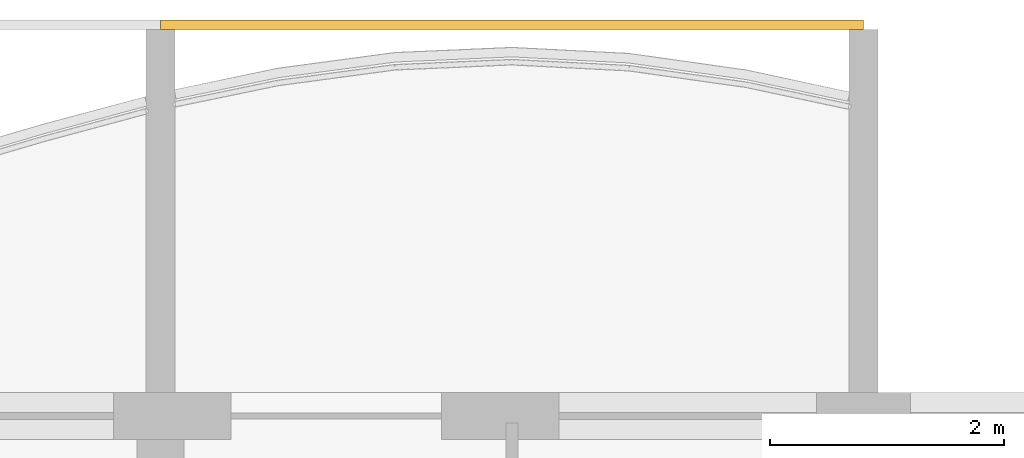
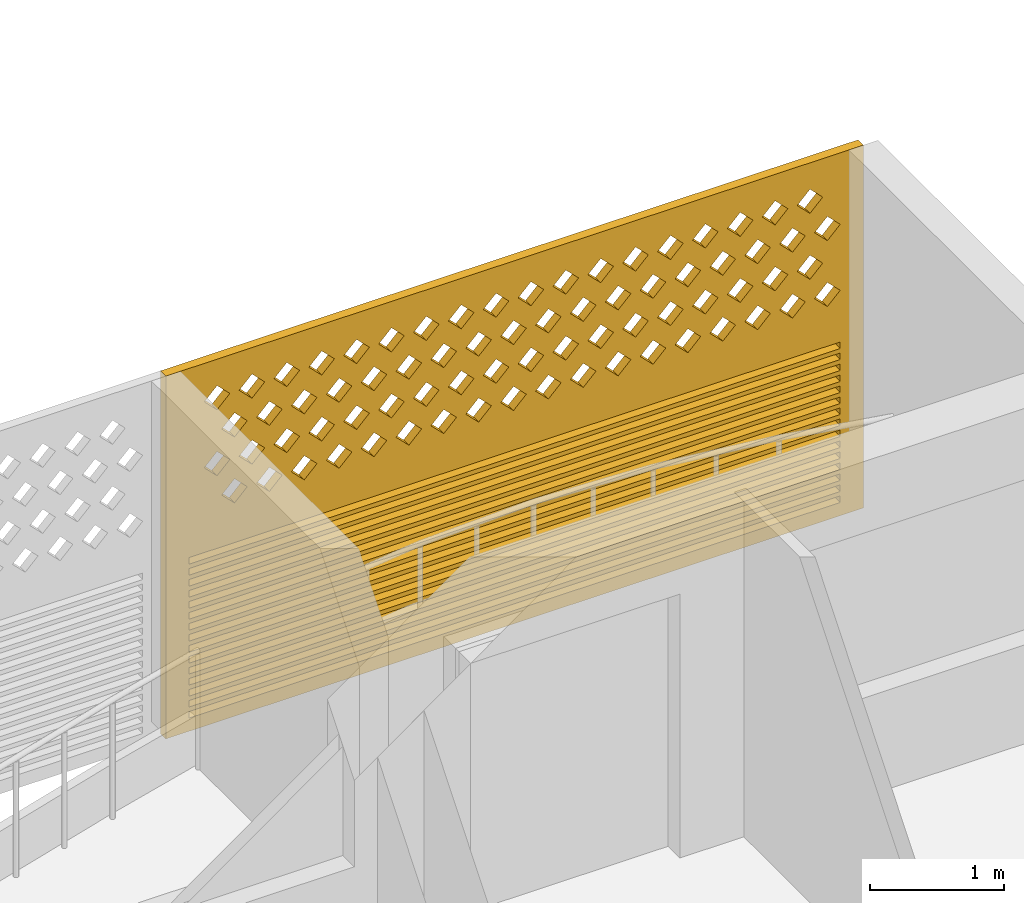
# One storey, part 28 of 39: 1 covering.
"""IFC4 building model written with IfcOpenShell, lengths in metres."""

import ifcopenshell
import ifcopenshell.guid

model = None  # the IFC model being written
_history = None  # IfcOwnerHistory: only IFC2X3 demands one
_inside = {}  # id of a spatial element -> (the spatial element, [elements in it])
_under = {}  # id of a project, library or spatial element -> (it, [spatial elements below it])
_declared = {}  # id of a project -> (the project, [libraries it declares])
_typed = {}  # id of a type object -> (the type object, [elements of that type])
_made_of = {}  # id of a material, layer set ... -> (it, [elements and type objects made of it])


def new_model(schema):
    """Start an empty IFC model of exactly this schema.

    Asked for "IFC4X3", IfcOpenShell would pick the latest addendum, in which some entities
    have other attributes; the version numbers below select the first issue.
    IFC2X3 requires an IfcOwnerHistory on every rooted entity: one is made here for all.
    """
    global model, _history
    if schema == "IFC4X3":
        model = ifcopenshell.file(schema_version=(4, 3, 0, 0))
    else:
        model = ifcopenshell.file(schema=schema)
    _inside.clear()
    _under.clear()
    _declared.clear()
    _typed.clear()
    _made_of.clear()
    _history = None
    if model.schema == "IFC2X3":
        org = make("IfcOrganization", Name="unknown")
        user = make(
            "IfcPersonAndOrganization",
            ThePerson=make("IfcPerson", FamilyName="unknown"),
            TheOrganization=org,
        )
        app = make(
            "IfcApplication",
            ApplicationDeveloper=org,
            Version="unknown",
            ApplicationFullName="unknown",
            ApplicationIdentifier="unknown",
        )
        _history = make(
            "IfcOwnerHistory",
            OwningUser=user,
            OwningApplication=app,
            ChangeAction="ADDED",
            CreationDate=0,
        )
    return model


def make(cls, **values):
    """One entity of the class cls with the attributes given. An attribute that is None is left unset."""
    return model.create_entity(
        cls, **{name: value for name, value in values.items() if value is not None}
    )


def rooted(cls, **values):
    """An entity with a GlobalId (a new one), such as an element, a storey or a relation."""
    return make(cls, GlobalId=ifcopenshell.guid.new(), OwnerHistory=_history, **values)


def si_unit(unit_type, name, prefix=None):
    """IfcSIUnit, for example si_unit("LENGTHUNIT", "METRE", prefix="MILLI")."""
    return make("IfcSIUnit", UnitType=unit_type, Prefix=prefix, Name=name)


def assignment(units):
    """IfcUnitAssignment: the units of a project."""
    return None if units is None else make("IfcUnitAssignment", Units=units)


def point(xyz):
    """IfcCartesianPoint."""
    return None if xyz is None else make("IfcCartesianPoint", Coordinates=xyz)


def direction(xyz):
    """IfcDirection."""
    return None if xyz is None else make("IfcDirection", DirectionRatios=xyz)


def frame(location, z_axis=None, x_axis=None):
    """IfcAxis2Placement3D, a coordinate frame: its origin and axes. An axis left out is left unset."""
    return make(
        "IfcAxis2Placement3D",
        Location=point(location),
        Axis=direction(z_axis),
        RefDirection=direction(x_axis),
    )


def origin():
    """The frame at (0, 0, 0) with its axes left unset."""
    return frame((0.0, 0.0, 0.0))


def place(relative_to, where):
    """IfcLocalPlacement: puts the frame where relative to a parent placement (None: the world)."""
    return make(
        "IfcLocalPlacement", PlacementRelTo=relative_to, RelativePlacement=where
    )


def context(
    kind, dimensions, precision=None, world=None, true_north=None, identifier=None
):
    """IfcGeometricRepresentationContext, for example the 3D "Model" context."""
    return make(
        "IfcGeometricRepresentationContext",
        ContextIdentifier=identifier,
        ContextType=kind,
        CoordinateSpaceDimension=dimensions,
        Precision=precision,
        WorldCoordinateSystem=world,
        TrueNorth=true_north,
    )


def subcontext(parent, identifier, kind, view, scale=None):
    """IfcGeometricRepresentationSubContext, for example "Body" below "Model"."""
    return make(
        "IfcGeometricRepresentationSubContext",
        ContextIdentifier=identifier,
        ContextType=kind,
        ParentContext=parent,
        TargetScale=scale,
        TargetView=view,
    )


def project(units=None, contexts=None):
    """IfcProject with its units and contexts."""
    return rooted(
        "IfcProject",
        Name="project",
        RepresentationContexts=contexts,
        UnitsInContext=assignment(units),
    )


def spatial(cls, under=None, at=None, **own):
    """A site, building, storey or space (cls), placed at a placement, below another one or the project."""
    s = rooted(cls, ObjectPlacement=at, **own)
    if under is not None:
        _under.setdefault(under.id(), (under, []))[1].append(s)
    return s


def polyline(points):
    """IfcPolyline through the points."""
    return make("IfcPolyline", Points=[point(p) for p in points])


def outline(outer, holes=None, kind="AREA"):
    """IfcArbitraryClosedProfileDef: a profile drawn as a closed curve; with holes, ...WithVoids."""
    if holes is None:
        return make("IfcArbitraryClosedProfileDef", ProfileType=kind, OuterCurve=outer)
    return make(
        "IfcArbitraryProfileDefWithVoids",
        ProfileType=kind,
        OuterCurve=outer,
        InnerCurves=holes,
    )


def extrude(swept, where, along, depth):
    """IfcExtrudedAreaSolid: the profile swept, set in the frame where, extruded along a direction by depth."""
    return make(
        "IfcExtrudedAreaSolid",
        SweptArea=swept,
        Position=where,
        ExtrudedDirection=direction(along),
        Depth=depth,
    )


def shape(context_of_items, identifier, shape_type, items):
    """IfcShapeRepresentation: the items that make up one representation, for example the "Body"."""
    return make(
        "IfcShapeRepresentation",
        ContextOfItems=context_of_items,
        RepresentationIdentifier=identifier,
        RepresentationType=shape_type,
        Items=items,
    )


def source(mapping_origin, context_of_items, identifier, shape_type, items):
    """IfcRepresentationMap: a shape defined once, which mapped items show again and again."""
    return make(
        "IfcRepresentationMap",
        MappingOrigin=mapping_origin,
        MappedRepresentation=shape(context_of_items, identifier, shape_type, items),
    )


def transform(
    local_origin,
    x_axis=None,
    y_axis=None,
    z_axis=None,
    scale=None,
    scale2=None,
    scale3=None,
    uniform=True,
):
    """IfcCartesianTransformationOperator3D, or its non-uniform kind. x_axis, y_axis, z_axis: its Axis1, 2, 3."""
    if uniform:
        return make(
            "IfcCartesianTransformationOperator3D",
            Axis1=direction(x_axis),
            Axis2=direction(y_axis),
            LocalOrigin=point(local_origin),
            Scale=scale,
            Axis3=direction(z_axis),
        )
    return make(
        "IfcCartesianTransformationOperator3DnonUniform",
        Axis1=direction(x_axis),
        Axis2=direction(y_axis),
        LocalOrigin=point(local_origin),
        Scale=scale,
        Axis3=direction(z_axis),
        Scale2=scale2,
        Scale3=scale3,
    )


def mapped(mapping_source, mapping_target):
    """IfcMappedItem: shows the shape of a source again, moved by a transform."""
    return make(
        "IfcMappedItem", MappingSource=mapping_source, MappingTarget=mapping_target
    )


def material(Name=None, Category=None):
    """IfcMaterial."""
    return make("IfcMaterial", Name=Name, Category=Category)


def material_profile(
    of_material, cross_section, Name=None, Category=None, Priority=None
):
    """IfcMaterialProfile: a cross section and its material."""
    return make(
        "IfcMaterialProfile",
        Name=Name,
        Material=of_material,
        Profile=cross_section,
        Priority=Priority,
        Category=Category,
    )


def profile_set(profiles, Name=None, composite=None):
    """IfcMaterialProfileSet."""
    return make(
        "IfcMaterialProfileSet",
        Name=Name,
        MaterialProfiles=profiles,
        CompositeProfile=composite,
    )


def made_of(thing, what):
    """Note that an element or type object is made of a material, layer set ...; save() writes the relation."""
    if what is not None:
        _made_of.setdefault(what.id(), (what, []))[1].append(thing)
    return thing


def type_object(cls, material=None, **own):
    """A type object (cls), such as IfcWallType, which elements share."""
    return made_of(rooted(cls, **own), material)


def element(
    cls,
    number,
    at=None,
    inside=None,
    cuts=None,
    type_object=None,
    material=None,
    context=None,
    identifier="Body",
    shape_type=None,
    held_by="IfcProductDefinitionShape",
    body=None,
    shapes=None,
    **own,
):
    """One element of the class cls, such as IfcWall. Its Tag is "e" and its number.

    at: its placement. inside: the storey or other place that contains it. cuts: it is an
    opening in that element (IfcRelVoidsElement). A single representation is given by context,
    identifier, shape_type and body (its items); several are given by shapes. held_by: the class
    of the entity that holds the representations. save() writes the other relations.
    """
    e = rooted(cls, Tag="e%d" % number, ObjectPlacement=at, **own)
    if body is not None:
        shapes = [shape(context, identifier, shape_type, body)]
    if shapes is not None:
        e.Representation = make(held_by, Representations=shapes)
    if inside is not None:
        _inside.setdefault(inside.id(), (inside, []))[1].append(e)
    if cuts is not None:
        rooted(
            "IfcRelVoidsElement", RelatingBuildingElement=cuts, RelatedOpeningElement=e
        )
    if type_object is not None:
        _typed.setdefault(type_object.id(), (type_object, []))[1].append(e)
    return made_of(e, material)


def aggregate(whole, parts):
    """IfcRelAggregates: a whole, such as a stair, and the parts it consists of."""
    return rooted("IfcRelAggregates", RelatingObject=whole, RelatedObjects=parts)


def save(model, path):
    """Write the relations noted so far, then the file.

    IfcRelAggregates (storeys below a building ...), IfcRelContainedInSpatialStructure (elements
    in a storey), IfcRelDefinesByType, IfcRelAssociatesMaterial and IfcRelDeclares: one each for
    every whole, place, type object, material and project.
    """
    for whole, parts in _under.values():
        aggregate(whole, parts)
    for where, things in _inside.values():
        rooted(
            "IfcRelContainedInSpatialStructure",
            RelatedElements=things,
            RelatingStructure=where,
        )
    for kind, things in _typed.values():
        rooted("IfcRelDefinesByType", RelatedObjects=things, RelatingType=kind)
    for what, things in _made_of.values():
        rooted("IfcRelAssociatesMaterial", RelatedObjects=things, RelatingMaterial=what)
    for by, libraries in _declared.values():
        rooted("IfcRelDeclares", RelatingContext=by, RelatedDefinitions=libraries)
    model.write(path)


model = new_model("IFC4")

# Units and contexts
model_context = context("Model", 3, precision=1e-05, world=origin(), true_north=direction((0.0, 1.0)))
body_context = subcontext(model_context, "Body", "Model", "MODEL_VIEW")
ifc_project = project(units=[si_unit("LENGTHUNIT", "METRE"), si_unit("AREAUNIT", "SQUARE_METRE"), si_unit("VOLUMEUNIT", "CUBIC_METRE"), si_unit("PLANEANGLEUNIT", "RADIAN"), si_unit("MASSUNIT", "GRAM", prefix="KILO")], contexts=[model_context])

# Site, building, storey
site_placement = place(None, origin())
site = spatial("IfcSite", under=ifc_project, at=site_placement, CompositionType="ELEMENT")
building_placement = place(site_placement, origin())
building = spatial("IfcBuilding", under=site, at=building_placement, Name="Poui Terraces", CompositionType="ELEMENT")
storey_placement = place(building_placement, frame((0.0, 0.0, 56.39990234375)))
storey = spatial("IfcBuildingStorey", under=building, at=storey_placement, Name="L15", CompositionType="ELEMENT", Elevation=56.39990234375)

# Covering
ifc_material = material(Name="Terracotta screen", Category="masonry")
ifc_material_profile = material_profile(ifc_material, outline(polyline([(-3.0, -1.64990234375), (3.0, -1.64990234375), (3.0, 1.64990234375), (-3.0, 1.64990234375), (-3.0, -1.64990234375)]), holes=[polyline([(-2.800048828125, 0.39990234375), (-2.68994140625, 0.2900390625), (-2.580078125, 0.39990234375), (-2.68994140625, 0.510009765625), (-2.800048828125, 0.39990234375)]), polyline([(-2.5, 0.39990234375), (-2.389892578125, 0.2900390625), (-2.280029296875, 0.39990234375), (-2.389892578125, 0.510009765625), (-2.5, 0.39990234375)]), polyline([(-2.199951171875, 0.39990234375), (-2.090087890625, 0.2900390625), (-1.97998046875, 0.39990234375), (-2.090087890625, 0.510009765625), (-2.199951171875, 0.39990234375)]), polyline([(-1.89990234375, 0.39990234375), (-1.7900390625, 0.2900390625), (-1.679931640625, 0.39990234375), (-1.7900390625, 0.510009765625), (-1.89990234375, 0.39990234375)]), polyline([(-1.60009765625, 0.39990234375), (-1.489990234375, 0.2900390625), (-1.3798828125, 0.39990234375), (-1.489990234375, 0.510009765625), (-1.60009765625, 0.39990234375)]), polyline([(-1.300048828125, 0.39990234375), (-1.18994140625, 0.2900390625), (-1.080078125, 0.39990234375), (-1.18994140625, 0.510009765625), (-1.300048828125, 0.39990234375)]), polyline([(-1.0, 0.39990234375), (-0.889892578125, 0.2900390625), (-0.780029296875, 0.39990234375), (-0.889892578125, 0.510009765625), (-1.0, 0.39990234375)]), polyline([(-0.699951171875, 0.39990234375), (-0.590087890625, 0.2900390625), (-0.47998046875, 0.39990234375), (-0.590087890625, 0.510009765625), (-0.699951171875, 0.39990234375)]), polyline([(-0.39990234375, 0.39990234375), (-0.2900390625, 0.2900390625), (-0.179931640625, 0.39990234375), (-0.2900390625, 0.510009765625), (-0.39990234375, 0.39990234375)]), polyline([(-0.10009765625, 0.39990234375), (0.010009765625, 0.2900390625), (0.1201171875, 0.39990234375), (0.010009765625, 0.510009765625), (-0.10009765625, 0.39990234375)]), polyline([(0.199951171875, 0.39990234375), (0.31005859375, 0.2900390625), (0.419921875, 0.39990234375), (0.31005859375, 0.510009765625), (0.199951171875, 0.39990234375)]), polyline([(0.5, 0.39990234375), (0.610107421875, 0.2900390625), (0.719970703125, 0.39990234375), (0.610107421875, 0.510009765625), (0.5, 0.39990234375)]), polyline([(0.800048828125, 0.39990234375), (0.909912109375, 0.2900390625), (1.02001953125, 0.39990234375), (0.909912109375, 0.510009765625), (0.800048828125, 0.39990234375)]), polyline([(1.10009765625, 0.39990234375), (1.2099609375, 0.2900390625), (1.320068359375, 0.39990234375), (1.2099609375, 0.510009765625), (1.10009765625, 0.39990234375)]), polyline([(1.39990234375, 0.39990234375), (1.510009765625, 0.2900390625), (1.6201171875, 0.39990234375), (1.510009765625, 0.510009765625), (1.39990234375, 0.39990234375)]), polyline([(1.699951171875, 0.39990234375), (1.81005859375, 0.2900390625), (1.919921875, 0.39990234375), (1.81005859375, 0.510009765625), (1.699951171875, 0.39990234375)]), polyline([(2.0, 0.39990234375), (2.110107421875, 0.2900390625), (2.219970703125, 0.39990234375), (2.110107421875, 0.510009765625), (2.0, 0.39990234375)]), polyline([(2.300048828125, 0.39990234375), (2.409912109375, 0.2900390625), (2.52001953125, 0.39990234375), (2.409912109375, 0.510009765625), (2.300048828125, 0.39990234375)]), polyline([(-2.64990234375, 0.699951171875), (-2.5400390625, 0.590087890625), (-2.429931640625, 0.699951171875), (-2.5400390625, 0.81005859375), (-2.64990234375, 0.699951171875)]), polyline([(-2.35009765625, 0.699951171875), (-2.239990234375, 0.590087890625), (-2.1298828125, 0.699951171875), (-2.239990234375, 0.81005859375), (-2.35009765625, 0.699951171875)]), polyline([(-2.050048828125, 0.699951171875), (-1.93994140625, 0.590087890625), (-1.830078125, 0.699951171875), (-1.93994140625, 0.81005859375), (-2.050048828125, 0.699951171875)]), polyline([(-1.75, 0.699951171875), (-1.639892578125, 0.590087890625), (-1.530029296875, 0.699951171875), (-1.639892578125, 0.81005859375), (-1.75, 0.699951171875)]), polyline([(-1.449951171875, 0.699951171875), (-1.340087890625, 0.590087890625), (-1.22998046875, 0.699951171875), (-1.340087890625, 0.81005859375), (-1.449951171875, 0.699951171875)]), polyline([(-1.14990234375, 0.699951171875), (-1.0400390625, 0.590087890625), (-0.929931640625, 0.699951171875), (-1.0400390625, 0.81005859375), (-1.14990234375, 0.699951171875)]), polyline([(-0.85009765625, 0.699951171875), (-0.739990234375, 0.590087890625), (-0.6298828125, 0.699951171875), (-0.739990234375, 0.81005859375), (-0.85009765625, 0.699951171875)]), polyline([(-0.550048828125, 0.699951171875), (-0.43994140625, 0.590087890625), (-0.330078125, 0.699951171875), (-0.43994140625, 0.81005859375), (-0.550048828125, 0.699951171875)]), polyline([(-0.25, 0.699951171875), (-0.139892578125, 0.590087890625), (-0.030029296875, 0.699951171875), (-0.139892578125, 0.81005859375), (-0.25, 0.699951171875)]), polyline([(0.050048828125, 0.699951171875), (0.159912109375, 0.590087890625), (0.27001953125, 0.699951171875), (0.159912109375, 0.81005859375), (0.050048828125, 0.699951171875)]), polyline([(0.35009765625, 0.699951171875), (0.4599609375, 0.590087890625), (0.570068359375, 0.699951171875), (0.4599609375, 0.81005859375), (0.35009765625, 0.699951171875)]), polyline([(0.64990234375, 0.699951171875), (0.760009765625, 0.590087890625), (0.8701171875, 0.699951171875), (0.760009765625, 0.81005859375), (0.64990234375, 0.699951171875)]), polyline([(0.949951171875, 0.699951171875), (1.06005859375, 0.590087890625), (1.169921875, 0.699951171875), (1.06005859375, 0.81005859375), (0.949951171875, 0.699951171875)]), polyline([(1.25, 0.699951171875), (1.360107421875, 0.590087890625), (1.469970703125, 0.699951171875), (1.360107421875, 0.81005859375), (1.25, 0.699951171875)]), polyline([(1.550048828125, 0.699951171875), (1.659912109375, 0.590087890625), (1.77001953125, 0.699951171875), (1.659912109375, 0.81005859375), (1.550048828125, 0.699951171875)]), polyline([(1.85009765625, 0.699951171875), (1.9599609375, 0.590087890625), (2.070068359375, 0.699951171875), (1.9599609375, 0.81005859375), (1.85009765625, 0.699951171875)]), polyline([(2.14990234375, 0.699951171875), (2.260009765625, 0.590087890625), (2.3701171875, 0.699951171875), (2.260009765625, 0.81005859375), (2.14990234375, 0.699951171875)]), polyline([(2.449951171875, 0.699951171875), (2.56005859375, 0.590087890625), (2.669921875, 0.699951171875), (2.56005859375, 0.81005859375), (2.449951171875, 0.699951171875)]), polyline([(-2.800048828125, 1.0), (-2.68994140625, 0.889892578125), (-2.580078125, 1.0), (-2.68994140625, 1.110107421875), (-2.800048828125, 1.0)]), polyline([(-2.5, 1.0), (-2.389892578125, 0.889892578125), (-2.280029296875, 1.0), (-2.389892578125, 1.110107421875), (-2.5, 1.0)]), polyline([(-2.199951171875, 1.0), (-2.090087890625, 0.889892578125), (-1.97998046875, 1.0), (-2.090087890625, 1.110107421875), (-2.199951171875, 1.0)]), polyline([(-1.89990234375, 1.0), (-1.7900390625, 0.889892578125), (-1.679931640625, 1.0), (-1.7900390625, 1.110107421875), (-1.89990234375, 1.0)]), polyline([(-1.60009765625, 1.0), (-1.489990234375, 0.889892578125), (-1.3798828125, 1.0), (-1.489990234375, 1.110107421875), (-1.60009765625, 1.0)]), polyline([(-1.300048828125, 1.0), (-1.18994140625, 0.889892578125), (-1.080078125, 1.0), (-1.18994140625, 1.110107421875), (-1.300048828125, 1.0)]), polyline([(-1.0, 1.0), (-0.889892578125, 0.889892578125), (-0.780029296875, 1.0), (-0.889892578125, 1.110107421875), (-1.0, 1.0)]), polyline([(-0.699951171875, 1.0), (-0.590087890625, 0.889892578125), (-0.47998046875, 1.0), (-0.590087890625, 1.110107421875), (-0.699951171875, 1.0)]), polyline([(-0.39990234375, 1.0), (-0.2900390625, 0.889892578125), (-0.179931640625, 1.0), (-0.2900390625, 1.110107421875), (-0.39990234375, 1.0)]), polyline([(-0.10009765625, 1.0), (0.010009765625, 0.889892578125), (0.1201171875, 1.0), (0.010009765625, 1.110107421875), (-0.10009765625, 1.0)]), polyline([(0.199951171875, 1.0), (0.31005859375, 0.889892578125), (0.419921875, 1.0), (0.31005859375, 1.110107421875), (0.199951171875, 1.0)]), polyline([(0.5, 1.0), (0.610107421875, 0.889892578125), (0.719970703125, 1.0), (0.610107421875, 1.110107421875), (0.5, 1.0)]), polyline([(0.800048828125, 1.0), (0.909912109375, 0.889892578125), (1.02001953125, 1.0), (0.909912109375, 1.110107421875), (0.800048828125, 1.0)]), polyline([(1.10009765625, 1.0), (1.2099609375, 0.889892578125), (1.320068359375, 1.0), (1.2099609375, 1.110107421875), (1.10009765625, 1.0)]), polyline([(1.39990234375, 1.0), (1.510009765625, 0.889892578125), (1.6201171875, 1.0), (1.510009765625, 1.110107421875), (1.39990234375, 1.0)]), polyline([(1.699951171875, 1.0), (1.81005859375, 0.889892578125), (1.919921875, 1.0), (1.81005859375, 1.110107421875), (1.699951171875, 1.0)]), polyline([(2.0, 1.0), (2.110107421875, 0.889892578125), (2.219970703125, 1.0), (2.110107421875, 1.110107421875), (2.0, 1.0)]), polyline([(2.300048828125, 1.0), (2.409912109375, 0.889892578125), (2.52001953125, 1.0), (2.409912109375, 1.110107421875), (2.300048828125, 1.0)]), polyline([(-2.64990234375, 1.300048828125), (-2.5400390625, 1.18994140625), (-2.429931640625, 1.300048828125), (-2.5400390625, 1.409912109375), (-2.64990234375, 1.300048828125)]), polyline([(-2.35009765625, 1.300048828125), (-2.239990234375, 1.18994140625), (-2.1298828125, 1.300048828125), (-2.239990234375, 1.409912109375), (-2.35009765625, 1.300048828125)]), polyline([(-2.050048828125, 1.300048828125), (-1.93994140625, 1.18994140625), (-1.830078125, 1.300048828125), (-1.93994140625, 1.409912109375), (-2.050048828125, 1.300048828125)]), polyline([(-1.75, 1.300048828125), (-1.639892578125, 1.18994140625), (-1.530029296875, 1.300048828125), (-1.639892578125, 1.409912109375), (-1.75, 1.300048828125)]), polyline([(-1.449951171875, 1.300048828125), (-1.340087890625, 1.18994140625), (-1.22998046875, 1.300048828125), (-1.340087890625, 1.409912109375), (-1.449951171875, 1.300048828125)]), polyline([(-1.14990234375, 1.300048828125), (-1.0400390625, 1.18994140625), (-0.929931640625, 1.300048828125), (-1.0400390625, 1.409912109375), (-1.14990234375, 1.300048828125)]), polyline([(-0.85009765625, 1.300048828125), (-0.739990234375, 1.18994140625), (-0.6298828125, 1.300048828125), (-0.739990234375, 1.409912109375), (-0.85009765625, 1.300048828125)]), polyline([(-0.550048828125, 1.300048828125), (-0.43994140625, 1.18994140625), (-0.330078125, 1.300048828125), (-0.43994140625, 1.409912109375), (-0.550048828125, 1.300048828125)]), polyline([(-0.25, 1.300048828125), (-0.139892578125, 1.18994140625), (-0.030029296875, 1.300048828125), (-0.139892578125, 1.409912109375), (-0.25, 1.300048828125)]), polyline([(0.050048828125, 1.300048828125), (0.159912109375, 1.18994140625), (0.27001953125, 1.300048828125), (0.159912109375, 1.409912109375), (0.050048828125, 1.300048828125)]), polyline([(0.35009765625, 1.300048828125), (0.4599609375, 1.18994140625), (0.570068359375, 1.300048828125), (0.4599609375, 1.409912109375), (0.35009765625, 1.300048828125)]), polyline([(0.64990234375, 1.300048828125), (0.760009765625, 1.18994140625), (0.8701171875, 1.300048828125), (0.760009765625, 1.409912109375), (0.64990234375, 1.300048828125)]), polyline([(0.949951171875, 1.300048828125), (1.06005859375, 1.18994140625), (1.169921875, 1.300048828125), (1.06005859375, 1.409912109375), (0.949951171875, 1.300048828125)]), polyline([(1.25, 1.300048828125), (1.360107421875, 1.18994140625), (1.469970703125, 1.300048828125), (1.360107421875, 1.409912109375), (1.25, 1.300048828125)]), polyline([(1.550048828125, 1.300048828125), (1.659912109375, 1.18994140625), (1.77001953125, 1.300048828125), (1.659912109375, 1.409912109375), (1.550048828125, 1.300048828125)]), polyline([(1.85009765625, 1.300048828125), (1.9599609375, 1.18994140625), (2.070068359375, 1.300048828125), (1.9599609375, 1.409912109375), (1.85009765625, 1.300048828125)]), polyline([(2.14990234375, 1.300048828125), (2.260009765625, 1.18994140625), (2.3701171875, 1.300048828125), (2.260009765625, 1.409912109375), (2.14990234375, 1.300048828125)]), polyline([(2.449951171875, 1.300048828125), (2.56005859375, 1.18994140625), (2.669921875, 1.300048828125), (2.56005859375, 1.409912109375), (2.449951171875, 1.300048828125)]), polyline([(-2.800048828125, -1.530029296875), (2.800048828125, -1.530029296875), (2.800048828125, -1.469970703125), (-2.800048828125, -1.469970703125), (-2.800048828125, -1.530029296875)]), polyline([(-2.800048828125, -1.429931640625), (2.800048828125, -1.429931640625), (2.800048828125, -1.3701171875), (-2.800048828125, -1.3701171875), (-2.800048828125, -1.429931640625)]), polyline([(-2.800048828125, -1.330078125), (2.800048828125, -1.330078125), (2.800048828125, -1.27001953125), (-2.800048828125, -1.27001953125), (-2.800048828125, -1.330078125)]), polyline([(-2.800048828125, -1.22998046875), (2.800048828125, -1.22998046875), (2.800048828125, -1.169921875), (-2.800048828125, -1.169921875), (-2.800048828125, -1.22998046875)]), polyline([(-2.800048828125, -1.1298828125), (2.800048828125, -1.1298828125), (2.800048828125, -1.070068359375), (-2.800048828125, -1.070068359375), (-2.800048828125, -1.1298828125)]), polyline([(-2.800048828125, -1.030029296875), (2.800048828125, -1.030029296875), (2.800048828125, -0.969970703125), (-2.800048828125, -0.969970703125), (-2.800048828125, -1.030029296875)]), polyline([(-2.800048828125, -0.929931640625), (2.800048828125, -0.929931640625), (2.800048828125, -0.8701171875), (-2.800048828125, -0.8701171875), (-2.800048828125, -0.929931640625)]), polyline([(-2.800048828125, -0.830078125), (2.800048828125, -0.830078125), (2.800048828125, -0.77001953125), (-2.800048828125, -0.77001953125), (-2.800048828125, -0.830078125)]), polyline([(-2.800048828125, -0.72998046875), (2.800048828125, -0.72998046875), (2.800048828125, -0.669921875), (-2.800048828125, -0.669921875), (-2.800048828125, -0.72998046875)]), polyline([(-2.800048828125, -0.6298828125), (2.800048828125, -0.6298828125), (2.800048828125, -0.570068359375), (-2.800048828125, -0.570068359375), (-2.800048828125, -0.6298828125)]), polyline([(-2.800048828125, -0.530029296875), (2.800048828125, -0.530029296875), (2.800048828125, -0.469970703125), (-2.800048828125, -0.469970703125), (-2.800048828125, -0.530029296875)]), polyline([(-2.800048828125, -0.429931640625), (2.800048828125, -0.429931640625), (2.800048828125, -0.3701171875), (-2.800048828125, -0.3701171875), (-2.800048828125, -0.429931640625)]), polyline([(-2.800048828125, -0.330078125), (2.800048828125, -0.330078125), (2.800048828125, -0.27001953125), (-2.800048828125, -0.27001953125), (-2.800048828125, -0.330078125)]), polyline([(-2.800048828125, -0.22998046875), (2.800048828125, -0.22998046875), (2.800048828125, -0.169921875), (-2.800048828125, -0.169921875), (-2.800048828125, -0.22998046875)]), polyline([(-2.800048828125, -0.1298828125), (2.800048828125, -0.1298828125), (2.800048828125, -0.070068359375), (-2.800048828125, -0.070068359375), (-2.800048828125, -0.1298828125)])]), Name="TERRACOTTA SCREEN AND JALOUSIE LOUVRE 6000X3300")
ifc_profile_set = profile_set([ifc_material_profile], Name="Terracotta screen")
covering_type = type_object("IfcCoveringType", Name="TERRACOTTA SCREEN AND JALOUSIE LOUVRE 6000X3300", PredefinedType="CLADDING", material=ifc_profile_set)
shared_shape = source(origin(), body_context, "Body", "SweptSolid", [
    extrude(outline(polyline([(-3.0, -1.64990234375), (3.0, -1.64990234375), (3.0, 1.64990234375), (-3.0, 1.64990234375), (-3.0, -1.64990234375)]), holes=[polyline([(-2.800048828125, 0.39990234375), (-2.68994140625, 0.2900390625), (-2.580078125, 0.39990234375), (-2.68994140625, 0.510009765625), (-2.800048828125, 0.39990234375)]), polyline([(-2.5, 0.39990234375), (-2.389892578125, 0.2900390625), (-2.280029296875, 0.39990234375), (-2.389892578125, 0.510009765625), (-2.5, 0.39990234375)]), polyline([(-2.199951171875, 0.39990234375), (-2.090087890625, 0.2900390625), (-1.97998046875, 0.39990234375), (-2.090087890625, 0.510009765625), (-2.199951171875, 0.39990234375)]), polyline([(-1.89990234375, 0.39990234375), (-1.7900390625, 0.2900390625), (-1.679931640625, 0.39990234375), (-1.7900390625, 0.510009765625), (-1.89990234375, 0.39990234375)]), polyline([(-1.60009765625, 0.39990234375), (-1.489990234375, 0.2900390625), (-1.3798828125, 0.39990234375), (-1.489990234375, 0.510009765625), (-1.60009765625, 0.39990234375)]), polyline([(-1.300048828125, 0.39990234375), (-1.18994140625, 0.2900390625), (-1.080078125, 0.39990234375), (-1.18994140625, 0.510009765625), (-1.300048828125, 0.39990234375)]), polyline([(-1.0, 0.39990234375), (-0.889892578125, 0.2900390625), (-0.780029296875, 0.39990234375), (-0.889892578125, 0.510009765625), (-1.0, 0.39990234375)]), polyline([(-0.699951171875, 0.39990234375), (-0.590087890625, 0.2900390625), (-0.47998046875, 0.39990234375), (-0.590087890625, 0.510009765625), (-0.699951171875, 0.39990234375)]), polyline([(-0.39990234375, 0.39990234375), (-0.2900390625, 0.2900390625), (-0.179931640625, 0.39990234375), (-0.2900390625, 0.510009765625), (-0.39990234375, 0.39990234375)]), polyline([(-0.10009765625, 0.39990234375), (0.010009765625, 0.2900390625), (0.1201171875, 0.39990234375), (0.010009765625, 0.510009765625), (-0.10009765625, 0.39990234375)]), polyline([(0.199951171875, 0.39990234375), (0.31005859375, 0.2900390625), (0.419921875, 0.39990234375), (0.31005859375, 0.510009765625), (0.199951171875, 0.39990234375)]), polyline([(0.5, 0.39990234375), (0.610107421875, 0.2900390625), (0.719970703125, 0.39990234375), (0.610107421875, 0.510009765625), (0.5, 0.39990234375)]), polyline([(0.800048828125, 0.39990234375), (0.909912109375, 0.2900390625), (1.02001953125, 0.39990234375), (0.909912109375, 0.510009765625), (0.800048828125, 0.39990234375)]), polyline([(1.10009765625, 0.39990234375), (1.2099609375, 0.2900390625), (1.320068359375, 0.39990234375), (1.2099609375, 0.510009765625), (1.10009765625, 0.39990234375)]), polyline([(1.39990234375, 0.39990234375), (1.510009765625, 0.2900390625), (1.6201171875, 0.39990234375), (1.510009765625, 0.510009765625), (1.39990234375, 0.39990234375)]), polyline([(1.699951171875, 0.39990234375), (1.81005859375, 0.2900390625), (1.919921875, 0.39990234375), (1.81005859375, 0.510009765625), (1.699951171875, 0.39990234375)]), polyline([(2.0, 0.39990234375), (2.110107421875, 0.2900390625), (2.219970703125, 0.39990234375), (2.110107421875, 0.510009765625), (2.0, 0.39990234375)]), polyline([(2.300048828125, 0.39990234375), (2.409912109375, 0.2900390625), (2.52001953125, 0.39990234375), (2.409912109375, 0.510009765625), (2.300048828125, 0.39990234375)]), polyline([(-2.64990234375, 0.699951171875), (-2.5400390625, 0.590087890625), (-2.429931640625, 0.699951171875), (-2.5400390625, 0.81005859375), (-2.64990234375, 0.699951171875)]), polyline([(-2.35009765625, 0.699951171875), (-2.239990234375, 0.590087890625), (-2.1298828125, 0.699951171875), (-2.239990234375, 0.81005859375), (-2.35009765625, 0.699951171875)]), polyline([(-2.050048828125, 0.699951171875), (-1.93994140625, 0.590087890625), (-1.830078125, 0.699951171875), (-1.93994140625, 0.81005859375), (-2.050048828125, 0.699951171875)]), polyline([(-1.75, 0.699951171875), (-1.639892578125, 0.590087890625), (-1.530029296875, 0.699951171875), (-1.639892578125, 0.81005859375), (-1.75, 0.699951171875)]), polyline([(-1.449951171875, 0.699951171875), (-1.340087890625, 0.590087890625), (-1.22998046875, 0.699951171875), (-1.340087890625, 0.81005859375), (-1.449951171875, 0.699951171875)]), polyline([(-1.14990234375, 0.699951171875), (-1.0400390625, 0.590087890625), (-0.929931640625, 0.699951171875), (-1.0400390625, 0.81005859375), (-1.14990234375, 0.699951171875)]), polyline([(-0.85009765625, 0.699951171875), (-0.739990234375, 0.590087890625), (-0.6298828125, 0.699951171875), (-0.739990234375, 0.81005859375), (-0.85009765625, 0.699951171875)]), polyline([(-0.550048828125, 0.699951171875), (-0.43994140625, 0.590087890625), (-0.330078125, 0.699951171875), (-0.43994140625, 0.81005859375), (-0.550048828125, 0.699951171875)]), polyline([(-0.25, 0.699951171875), (-0.139892578125, 0.590087890625), (-0.030029296875, 0.699951171875), (-0.139892578125, 0.81005859375), (-0.25, 0.699951171875)]), polyline([(0.050048828125, 0.699951171875), (0.159912109375, 0.590087890625), (0.27001953125, 0.699951171875), (0.159912109375, 0.81005859375), (0.050048828125, 0.699951171875)]), polyline([(0.35009765625, 0.699951171875), (0.4599609375, 0.590087890625), (0.570068359375, 0.699951171875), (0.4599609375, 0.81005859375), (0.35009765625, 0.699951171875)]), polyline([(0.64990234375, 0.699951171875), (0.760009765625, 0.590087890625), (0.8701171875, 0.699951171875), (0.760009765625, 0.81005859375), (0.64990234375, 0.699951171875)]), polyline([(0.949951171875, 0.699951171875), (1.06005859375, 0.590087890625), (1.169921875, 0.699951171875), (1.06005859375, 0.81005859375), (0.949951171875, 0.699951171875)]), polyline([(1.25, 0.699951171875), (1.360107421875, 0.590087890625), (1.469970703125, 0.699951171875), (1.360107421875, 0.81005859375), (1.25, 0.699951171875)]), polyline([(1.550048828125, 0.699951171875), (1.659912109375, 0.590087890625), (1.77001953125, 0.699951171875), (1.659912109375, 0.81005859375), (1.550048828125, 0.699951171875)]), polyline([(1.85009765625, 0.699951171875), (1.9599609375, 0.590087890625), (2.070068359375, 0.699951171875), (1.9599609375, 0.81005859375), (1.85009765625, 0.699951171875)]), polyline([(2.14990234375, 0.699951171875), (2.260009765625, 0.590087890625), (2.3701171875, 0.699951171875), (2.260009765625, 0.81005859375), (2.14990234375, 0.699951171875)]), polyline([(2.449951171875, 0.699951171875), (2.56005859375, 0.590087890625), (2.669921875, 0.699951171875), (2.56005859375, 0.81005859375), (2.449951171875, 0.699951171875)]), polyline([(-2.800048828125, 1.0), (-2.68994140625, 0.889892578125), (-2.580078125, 1.0), (-2.68994140625, 1.110107421875), (-2.800048828125, 1.0)]), polyline([(-2.5, 1.0), (-2.389892578125, 0.889892578125), (-2.280029296875, 1.0), (-2.389892578125, 1.110107421875), (-2.5, 1.0)]), polyline([(-2.199951171875, 1.0), (-2.090087890625, 0.889892578125), (-1.97998046875, 1.0), (-2.090087890625, 1.110107421875), (-2.199951171875, 1.0)]), polyline([(-1.89990234375, 1.0), (-1.7900390625, 0.889892578125), (-1.679931640625, 1.0), (-1.7900390625, 1.110107421875), (-1.89990234375, 1.0)]), polyline([(-1.60009765625, 1.0), (-1.489990234375, 0.889892578125), (-1.3798828125, 1.0), (-1.489990234375, 1.110107421875), (-1.60009765625, 1.0)]), polyline([(-1.300048828125, 1.0), (-1.18994140625, 0.889892578125), (-1.080078125, 1.0), (-1.18994140625, 1.110107421875), (-1.300048828125, 1.0)]), polyline([(-1.0, 1.0), (-0.889892578125, 0.889892578125), (-0.780029296875, 1.0), (-0.889892578125, 1.110107421875), (-1.0, 1.0)]), polyline([(-0.699951171875, 1.0), (-0.590087890625, 0.889892578125), (-0.47998046875, 1.0), (-0.590087890625, 1.110107421875), (-0.699951171875, 1.0)]), polyline([(-0.39990234375, 1.0), (-0.2900390625, 0.889892578125), (-0.179931640625, 1.0), (-0.2900390625, 1.110107421875), (-0.39990234375, 1.0)]), polyline([(-0.10009765625, 1.0), (0.010009765625, 0.889892578125), (0.1201171875, 1.0), (0.010009765625, 1.110107421875), (-0.10009765625, 1.0)]), polyline([(0.199951171875, 1.0), (0.31005859375, 0.889892578125), (0.419921875, 1.0), (0.31005859375, 1.110107421875), (0.199951171875, 1.0)]), polyline([(0.5, 1.0), (0.610107421875, 0.889892578125), (0.719970703125, 1.0), (0.610107421875, 1.110107421875), (0.5, 1.0)]), polyline([(0.800048828125, 1.0), (0.909912109375, 0.889892578125), (1.02001953125, 1.0), (0.909912109375, 1.110107421875), (0.800048828125, 1.0)]), polyline([(1.10009765625, 1.0), (1.2099609375, 0.889892578125), (1.320068359375, 1.0), (1.2099609375, 1.110107421875), (1.10009765625, 1.0)]), polyline([(1.39990234375, 1.0), (1.510009765625, 0.889892578125), (1.6201171875, 1.0), (1.510009765625, 1.110107421875), (1.39990234375, 1.0)]), polyline([(1.699951171875, 1.0), (1.81005859375, 0.889892578125), (1.919921875, 1.0), (1.81005859375, 1.110107421875), (1.699951171875, 1.0)]), polyline([(2.0, 1.0), (2.110107421875, 0.889892578125), (2.219970703125, 1.0), (2.110107421875, 1.110107421875), (2.0, 1.0)]), polyline([(2.300048828125, 1.0), (2.409912109375, 0.889892578125), (2.52001953125, 1.0), (2.409912109375, 1.110107421875), (2.300048828125, 1.0)]), polyline([(-2.64990234375, 1.300048828125), (-2.5400390625, 1.18994140625), (-2.429931640625, 1.300048828125), (-2.5400390625, 1.409912109375), (-2.64990234375, 1.300048828125)]), polyline([(-2.35009765625, 1.300048828125), (-2.239990234375, 1.18994140625), (-2.1298828125, 1.300048828125), (-2.239990234375, 1.409912109375), (-2.35009765625, 1.300048828125)]), polyline([(-2.050048828125, 1.300048828125), (-1.93994140625, 1.18994140625), (-1.830078125, 1.300048828125), (-1.93994140625, 1.409912109375), (-2.050048828125, 1.300048828125)]), polyline([(-1.75, 1.300048828125), (-1.639892578125, 1.18994140625), (-1.530029296875, 1.300048828125), (-1.639892578125, 1.409912109375), (-1.75, 1.300048828125)]), polyline([(-1.449951171875, 1.300048828125), (-1.340087890625, 1.18994140625), (-1.22998046875, 1.300048828125), (-1.340087890625, 1.409912109375), (-1.449951171875, 1.300048828125)]), polyline([(-1.14990234375, 1.300048828125), (-1.0400390625, 1.18994140625), (-0.929931640625, 1.300048828125), (-1.0400390625, 1.409912109375), (-1.14990234375, 1.300048828125)]), polyline([(-0.85009765625, 1.300048828125), (-0.739990234375, 1.18994140625), (-0.6298828125, 1.300048828125), (-0.739990234375, 1.409912109375), (-0.85009765625, 1.300048828125)]), polyline([(-0.550048828125, 1.300048828125), (-0.43994140625, 1.18994140625), (-0.330078125, 1.300048828125), (-0.43994140625, 1.409912109375), (-0.550048828125, 1.300048828125)]), polyline([(-0.25, 1.300048828125), (-0.139892578125, 1.18994140625), (-0.030029296875, 1.300048828125), (-0.139892578125, 1.409912109375), (-0.25, 1.300048828125)]), polyline([(0.050048828125, 1.300048828125), (0.159912109375, 1.18994140625), (0.27001953125, 1.300048828125), (0.159912109375, 1.409912109375), (0.050048828125, 1.300048828125)]), polyline([(0.35009765625, 1.300048828125), (0.4599609375, 1.18994140625), (0.570068359375, 1.300048828125), (0.4599609375, 1.409912109375), (0.35009765625, 1.300048828125)]), polyline([(0.64990234375, 1.300048828125), (0.760009765625, 1.18994140625), (0.8701171875, 1.300048828125), (0.760009765625, 1.409912109375), (0.64990234375, 1.300048828125)]), polyline([(0.949951171875, 1.300048828125), (1.06005859375, 1.18994140625), (1.169921875, 1.300048828125), (1.06005859375, 1.409912109375), (0.949951171875, 1.300048828125)]), polyline([(1.25, 1.300048828125), (1.360107421875, 1.18994140625), (1.469970703125, 1.300048828125), (1.360107421875, 1.409912109375), (1.25, 1.300048828125)]), polyline([(1.550048828125, 1.300048828125), (1.659912109375, 1.18994140625), (1.77001953125, 1.300048828125), (1.659912109375, 1.409912109375), (1.550048828125, 1.300048828125)]), polyline([(1.85009765625, 1.300048828125), (1.9599609375, 1.18994140625), (2.070068359375, 1.300048828125), (1.9599609375, 1.409912109375), (1.85009765625, 1.300048828125)]), polyline([(2.14990234375, 1.300048828125), (2.260009765625, 1.18994140625), (2.3701171875, 1.300048828125), (2.260009765625, 1.409912109375), (2.14990234375, 1.300048828125)]), polyline([(2.449951171875, 1.300048828125), (2.56005859375, 1.18994140625), (2.669921875, 1.300048828125), (2.56005859375, 1.409912109375), (2.449951171875, 1.300048828125)]), polyline([(-2.800048828125, -1.530029296875), (2.800048828125, -1.530029296875), (2.800048828125, -1.469970703125), (-2.800048828125, -1.469970703125), (-2.800048828125, -1.530029296875)]), polyline([(-2.800048828125, -1.429931640625), (2.800048828125, -1.429931640625), (2.800048828125, -1.3701171875), (-2.800048828125, -1.3701171875), (-2.800048828125, -1.429931640625)]), polyline([(-2.800048828125, -1.330078125), (2.800048828125, -1.330078125), (2.800048828125, -1.27001953125), (-2.800048828125, -1.27001953125), (-2.800048828125, -1.330078125)]), polyline([(-2.800048828125, -1.22998046875), (2.800048828125, -1.22998046875), (2.800048828125, -1.169921875), (-2.800048828125, -1.169921875), (-2.800048828125, -1.22998046875)]), polyline([(-2.800048828125, -1.1298828125), (2.800048828125, -1.1298828125), (2.800048828125, -1.070068359375), (-2.800048828125, -1.070068359375), (-2.800048828125, -1.1298828125)]), polyline([(-2.800048828125, -1.030029296875), (2.800048828125, -1.030029296875), (2.800048828125, -0.969970703125), (-2.800048828125, -0.969970703125), (-2.800048828125, -1.030029296875)]), polyline([(-2.800048828125, -0.929931640625), (2.800048828125, -0.929931640625), (2.800048828125, -0.8701171875), (-2.800048828125, -0.8701171875), (-2.800048828125, -0.929931640625)]), polyline([(-2.800048828125, -0.830078125), (2.800048828125, -0.830078125), (2.800048828125, -0.77001953125), (-2.800048828125, -0.77001953125), (-2.800048828125, -0.830078125)]), polyline([(-2.800048828125, -0.72998046875), (2.800048828125, -0.72998046875), (2.800048828125, -0.669921875), (-2.800048828125, -0.669921875), (-2.800048828125, -0.72998046875)]), polyline([(-2.800048828125, -0.6298828125), (2.800048828125, -0.6298828125), (2.800048828125, -0.570068359375), (-2.800048828125, -0.570068359375), (-2.800048828125, -0.6298828125)]), polyline([(-2.800048828125, -0.530029296875), (2.800048828125, -0.530029296875), (2.800048828125, -0.469970703125), (-2.800048828125, -0.469970703125), (-2.800048828125, -0.530029296875)]), polyline([(-2.800048828125, -0.429931640625), (2.800048828125, -0.429931640625), (2.800048828125, -0.3701171875), (-2.800048828125, -0.3701171875), (-2.800048828125, -0.429931640625)]), polyline([(-2.800048828125, -0.330078125), (2.800048828125, -0.330078125), (2.800048828125, -0.27001953125), (-2.800048828125, -0.27001953125), (-2.800048828125, -0.330078125)]), polyline([(-2.800048828125, -0.22998046875), (2.800048828125, -0.22998046875), (2.800048828125, -0.169921875), (-2.800048828125, -0.169921875), (-2.800048828125, -0.22998046875)]), polyline([(-2.800048828125, -0.1298828125), (2.800048828125, -0.1298828125), (2.800048828125, -0.070068359375), (-2.800048828125, -0.070068359375), (-2.800048828125, -0.1298828125)])]), origin(), (0.0, 0.0, 1.0), 0.079833984375),
])
covering_placement = place(storey_placement, frame((45.0, 48.10009765625, 1.4501953125), z_axis=(0.0, 1.0, 0.0), x_axis=(-1.0, 0.0, 0.0)))
element("IfcCovering", 1, at=covering_placement, inside=storey, type_object=covering_type, Name="SOLAR SCREEN AND JALOUSIE LOUVRE", PredefinedType="CLADDING", context=body_context, shape_type="MappedRepresentation", body=[
    mapped(shared_shape, transform((0.0, 0.0, 0.0))),
])

save(model, "model.ifc")
